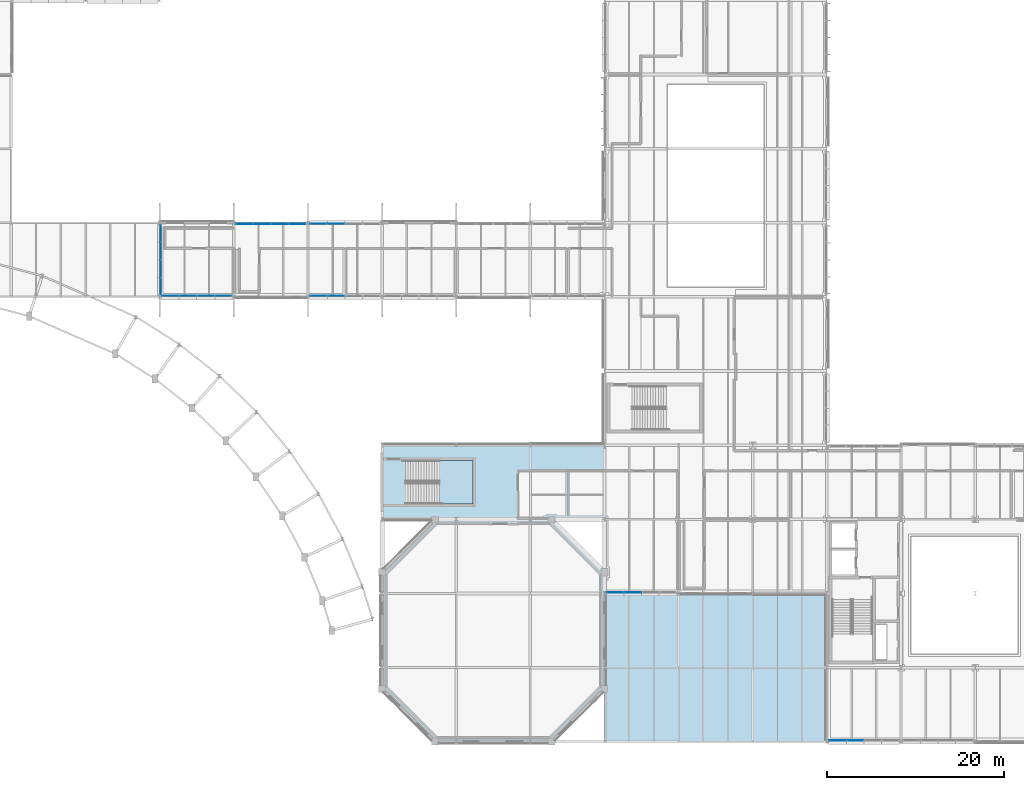
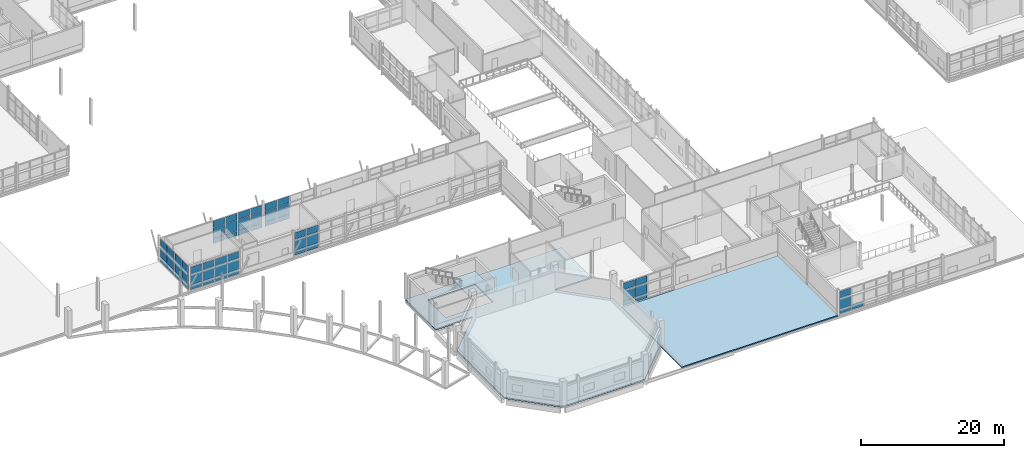
# One storey, part 81 of 129: 58 plates, 3 slabs, 8 elements without a shape of their own.
"""IFC4 building model written with IfcOpenShell, lengths in metres."""

from ifc_helpers import new_model, si_unit, direction, frame, origin, origin_2d, place, context, subcontext, project, spatial, polyline, rectangle, outline, extrude, material, layer, layer_set, type_object, element, aggregate, save


model = new_model("IFC4")

# Units and contexts
model_context = context("Model", 3, precision=1e-05, world=origin(), true_north=direction((0.0, 1.0)))
body_context = subcontext(model_context, "Body", "Model", "MODEL_VIEW")
ifc_project = project(units=[si_unit("LENGTHUNIT", "METRE"), si_unit("AREAUNIT", "SQUARE_METRE"), si_unit("VOLUMEUNIT", "CUBIC_METRE"), si_unit("PLANEANGLEUNIT", "RADIAN"), si_unit("MASSUNIT", "GRAM", prefix="KILO")], contexts=[model_context])

# Site, building, storey
site_placement = place(None, origin())
site = spatial("IfcSite", under=ifc_project, at=site_placement, CompositionType="ELEMENT")
building_placement = place(site_placement, origin())
building = spatial("IfcBuilding", under=site, at=building_placement, Name="Mersafa Astral City Hall", CompositionType="ELEMENT")
storey_placement = place(building_placement, frame((0.0, 0.0, 5.39990234375)))
storey = spatial("IfcBuildingStorey", under=building, at=storey_placement, Name="L01", CompositionType="ELEMENT", Elevation=5.39990234375)

# Curtain wall, plates
ifc_material_1 = material(Name="Anodised bronze aluminium framing", Category="aluminium")
curtain_wall_type_1 = type_object("IfcCurtainWallType", Name="ENV-CW-5", PredefinedType="USERDEFINED", material=ifc_material_1)
curtain_wall_1_placement = place(storey_placement, origin())
curtain_wall_1 = element("IfcCurtainWall", 1, at=curtain_wall_1_placement, inside=storey, type_object=curtain_wall_type_1, Name="L01 Unitised solar curtain wall 100", ObjectType="UNITISED CURTAIN WALL", PredefinedType="USERDEFINED")
ifc_material_2 = material(Name="Solar control low-e double glazing", Category="glass")
ifc_layer_1 = layer(ifc_material_2, 0.028076171875, Name="Solar control low-e double glazing")
ifc_layer_set_1 = layer_set([ifc_layer_1], Name="Solar control low-e double glazing — ENV-CW-PNL-GLZ-1")
plate_type_1 = type_object("IfcPlateType", Name="ENV-CW-PNL-GLZ-1", PredefinedType="CURTAIN_PANEL", material=ifc_layer_set_1)
plate_1_placement = place(storey_placement, frame((43.201416015625, 50.52001953125, 0.05810546875), z_axis=(0.0, 0.0, 1.0), x_axis=(1.0, 0.0, 0.0)))
plate_1 = element("IfcPlate", 2, at=plate_1_placement, type_object=plate_type_1, Name="CW-5 panel 1.1", PredefinedType="CURTAIN_PANEL", context=body_context, shape_type="SweptSolid", body=[
    extrude(rectangle(XDim=1.839111328125, YDim=0.028076171875, at=origin_2d()), origin(), (0.0, 0.0, 1.0), 0.761962890625),
])
plate_2_placement = place(storey_placement, frame((43.201416015625, 50.52001953125, 0.8798828125), z_axis=(0.0, 0.0, 1.0), x_axis=(1.0, 0.0, 0.0)))
plate_2 = element("IfcPlate", 3, at=plate_2_placement, type_object=plate_type_1, Name="CW-5 panel 1.2", PredefinedType="CURTAIN_PANEL", context=body_context, shape_type="SweptSolid", body=[
    extrude(rectangle(XDim=1.839111328125, YDim=0.028076171875, at=origin_2d()), origin(), (0.0, 0.0, 1.0), 1.840087890625),
])
plate_3_placement = place(storey_placement, frame((43.201416015625, 50.52001953125, 2.780029296875), z_axis=(0.0, 0.0, 1.0), x_axis=(1.0, 0.0, 0.0)))
plate_3 = element("IfcPlate", 4, at=plate_3_placement, type_object=plate_type_1, Name="CW-5 panel 1.3", PredefinedType="CURTAIN_PANEL", context=body_context, shape_type="SweptSolid", body=[
    extrude(rectangle(XDim=1.839111328125, YDim=0.028076171875, at=origin_2d()), origin(), (0.0, 0.0, 1.0), 1.126953125),
])
plate_4_placement = place(storey_placement, frame((45.1904296875, 50.52001953125, 0.05810546875), z_axis=(0.0, 0.0, 1.0), x_axis=(1.0, 0.0, 0.0)))
plate_4 = element("IfcPlate", 5, at=plate_4_placement, type_object=plate_type_1, Name="CW-5 panel 2.1", PredefinedType="CURTAIN_PANEL", context=body_context, shape_type="SweptSolid", body=[
    extrude(rectangle(XDim=1.89892578125, YDim=0.028076171875, at=origin_2d()), origin(), (0.0, 0.0, 1.0), 0.761962890625),
])
plate_5_placement = place(storey_placement, frame((45.1904296875, 50.52001953125, 0.8798828125), z_axis=(0.0, 0.0, 1.0), x_axis=(1.0, 0.0, 0.0)))
plate_5 = element("IfcPlate", 6, at=plate_5_placement, type_object=plate_type_1, Name="CW-5 panel 2.2", PredefinedType="CURTAIN_PANEL", context=body_context, shape_type="SweptSolid", body=[
    extrude(rectangle(XDim=1.89892578125, YDim=0.028076171875, at=origin_2d()), origin(), (0.0, 0.0, 1.0), 1.840087890625),
])
plate_6_placement = place(storey_placement, frame((45.1904296875, 50.52001953125, 2.780029296875), z_axis=(0.0, 0.0, 1.0), x_axis=(1.0, 0.0, 0.0)))
plate_6 = element("IfcPlate", 7, at=plate_6_placement, type_object=plate_type_1, Name="CW-5 panel 2.3", PredefinedType="CURTAIN_PANEL", context=body_context, shape_type="SweptSolid", body=[
    extrude(rectangle(XDim=1.89892578125, YDim=0.028076171875, at=origin_2d()), origin(), (0.0, 0.0, 1.0), 1.126953125),
])
plate_7_placement = place(storey_placement, frame((47.20947265625, 50.52001953125, 0.05810546875), z_axis=(0.0, 0.0, 1.0), x_axis=(1.0, 0.0, 0.0)))
plate_7 = element("IfcPlate", 8, at=plate_7_placement, type_object=plate_type_1, Name="CW-5 panel 3.1", PredefinedType="CURTAIN_PANEL", context=body_context, shape_type="SweptSolid", body=[
    extrude(rectangle(XDim=1.89892578125, YDim=0.028076171875, at=origin_2d()), origin(), (0.0, 0.0, 1.0), 0.761962890625),
])
plate_8_placement = place(storey_placement, frame((47.20947265625, 50.52001953125, 0.8798828125), z_axis=(0.0, 0.0, 1.0), x_axis=(1.0, 0.0, 0.0)))
plate_8 = element("IfcPlate", 9, at=plate_8_placement, type_object=plate_type_1, Name="CW-5 panel 3.2", PredefinedType="CURTAIN_PANEL", context=body_context, shape_type="SweptSolid", body=[
    extrude(rectangle(XDim=1.89892578125, YDim=0.028076171875, at=origin_2d()), origin(), (0.0, 0.0, 1.0), 1.840087890625),
])
plate_9_placement = place(storey_placement, frame((47.20947265625, 50.52001953125, 2.780029296875), z_axis=(0.0, 0.0, 1.0), x_axis=(1.0, 0.0, 0.0)))
plate_9 = element("IfcPlate", 10, at=plate_9_placement, type_object=plate_type_1, Name="CW-5 panel 3.3", PredefinedType="CURTAIN_PANEL", context=body_context, shape_type="SweptSolid", body=[
    extrude(rectangle(XDim=1.89892578125, YDim=0.028076171875, at=origin_2d()), origin(), (0.0, 0.0, 1.0), 1.126953125),
])
plate_10_placement = place(storey_placement, frame((49.198486328125, 50.52001953125, 0.05810546875), z_axis=(0.0, 0.0, 1.0), x_axis=(1.0, 0.0, 0.0)))
plate_10 = element("IfcPlate", 11, at=plate_10_placement, type_object=plate_type_1, Name="CW-5 panel 4.1", PredefinedType="CURTAIN_PANEL", context=body_context, shape_type="SweptSolid", body=[
    extrude(rectangle(XDim=1.839111328125, YDim=0.028076171875, at=origin_2d()), origin(), (0.0, 0.0, 1.0), 0.761962890625),
])
plate_11_placement = place(storey_placement, frame((49.198486328125, 50.52001953125, 0.8798828125), z_axis=(0.0, 0.0, 1.0), x_axis=(1.0, 0.0, 0.0)))
plate_11 = element("IfcPlate", 12, at=plate_11_placement, type_object=plate_type_1, Name="CW-5 panel 4.2", PredefinedType="CURTAIN_PANEL", context=body_context, shape_type="SweptSolid", body=[
    extrude(rectangle(XDim=1.839111328125, YDim=0.028076171875, at=origin_2d()), origin(), (0.0, 0.0, 1.0), 1.840087890625),
])
plate_12_placement = place(storey_placement, frame((49.198486328125, 50.52001953125, 2.780029296875), z_axis=(0.0, 0.0, 1.0), x_axis=(1.0, 0.0, 0.0)))
plate_12 = element("IfcPlate", 13, at=plate_12_placement, type_object=plate_type_1, Name="CW-5 panel 4.3", PredefinedType="CURTAIN_PANEL", context=body_context, shape_type="SweptSolid", body=[
    extrude(rectangle(XDim=1.839111328125, YDim=0.028076171875, at=origin_2d()), origin(), (0.0, 0.0, 1.0), 1.126953125),
])
aggregate(curtain_wall_1, [plate_1, plate_2, plate_3, plate_4, plate_5, plate_6, plate_7, plate_8, plate_9, plate_10, plate_11, plate_12])

curtain_wall_type_2 = type_object("IfcCurtainWallType", Name="ENV-CW-4", PredefinedType="USERDEFINED", material=ifc_material_1)
curtain_wall_2_placement = place(storey_placement, origin())
curtain_wall_2 = element("IfcCurtainWall", 14, at=curtain_wall_2_placement, inside=storey, type_object=curtain_wall_type_2, Name="L01 Unitised solar curtain wall 45", ObjectType="UNITISED CURTAIN WALL", PredefinedType="USERDEFINED")
ifc_layer_2 = layer(ifc_material_2, 0.031982421875, Name="Solar control low-e double glazing")
ifc_layer_set_2 = layer_set([ifc_layer_2], Name="Solar control low-e double glazing — ENV-CW-PNL-GLZ-2")
plate_type_2 = type_object("IfcPlateType", Name="ENV-CW-PNL-GLZ-2", PredefinedType="CURTAIN_PANEL", material=ifc_layer_set_2)
plate_13_placement = place(storey_placement, frame((93.6015625, 16.919921875, 0.05810546875), z_axis=(0.0, 0.0, 1.0), x_axis=(1.0, 0.0, 0.0)))
plate_13 = element("IfcPlate", 15, at=plate_13_placement, type_object=plate_type_2, Name="CW-4 panel 1.1", PredefinedType="CURTAIN_PANEL", context=body_context, shape_type="SweptSolid", body=[
    extrude(rectangle(XDim=1.839111328125, YDim=0.031982421875, at=origin_2d()), origin(), (0.0, 0.0, 1.0), 0.761962890625),
])
plate_14_placement = place(storey_placement, frame((93.6015625, 16.919921875, 0.8798828125), z_axis=(0.0, 0.0, 1.0), x_axis=(1.0, 0.0, 0.0)))
plate_14 = element("IfcPlate", 16, at=plate_14_placement, type_object=plate_type_2, Name="CW-4 panel 1.2", PredefinedType="CURTAIN_PANEL", context=body_context, shape_type="SweptSolid", body=[
    extrude(rectangle(XDim=1.839111328125, YDim=0.031982421875, at=origin_2d()), origin(), (0.0, 0.0, 1.0), 1.840087890625),
])
plate_15_placement = place(storey_placement, frame((93.6015625, 16.919921875, 2.780029296875), z_axis=(0.0, 0.0, 1.0), x_axis=(1.0, 0.0, 0.0)))
plate_15 = element("IfcPlate", 17, at=plate_15_placement, type_object=plate_type_2, Name="CW-4 panel 1.3", PredefinedType="CURTAIN_PANEL", context=body_context, shape_type="SweptSolid", body=[
    extrude(rectangle(XDim=1.839111328125, YDim=0.031982421875, at=origin_2d()), origin(), (0.0, 0.0, 1.0), 1.126953125),
])
plate_16_placement = place(storey_placement, frame((95.590576171875, 16.919921875, 0.05810546875), z_axis=(0.0, 0.0, 1.0), x_axis=(1.0, 0.0, 0.0)))
plate_16 = element("IfcPlate", 18, at=plate_16_placement, type_object=plate_type_2, Name="CW-4 panel 2.1", PredefinedType="CURTAIN_PANEL", context=body_context, shape_type="SweptSolid", body=[
    extrude(rectangle(XDim=1.89892578125, YDim=0.031982421875, at=origin_2d()), origin(), (0.0, 0.0, 1.0), 0.761962890625),
])
plate_17_placement = place(storey_placement, frame((95.590576171875, 16.919921875, 0.8798828125), z_axis=(0.0, 0.0, 1.0), x_axis=(1.0, 0.0, 0.0)))
plate_17 = element("IfcPlate", 19, at=plate_17_placement, type_object=plate_type_2, Name="CW-4 panel 2.2", PredefinedType="CURTAIN_PANEL", context=body_context, shape_type="SweptSolid", body=[
    extrude(rectangle(XDim=1.89892578125, YDim=0.031982421875, at=origin_2d()), origin(), (0.0, 0.0, 1.0), 1.840087890625),
])
plate_18_placement = place(storey_placement, frame((95.590576171875, 16.919921875, 2.780029296875), z_axis=(0.0, 0.0, 1.0), x_axis=(1.0, 0.0, 0.0)))
plate_18 = element("IfcPlate", 20, at=plate_18_placement, type_object=plate_type_2, Name="CW-4 panel 2.3", PredefinedType="CURTAIN_PANEL", context=body_context, shape_type="SweptSolid", body=[
    extrude(rectangle(XDim=1.89892578125, YDim=0.031982421875, at=origin_2d()), origin(), (0.0, 0.0, 1.0), 1.126953125),
])
aggregate(curtain_wall_2, [plate_13, plate_14, plate_15, plate_16, plate_17, plate_18])

curtain_wall_type_3 = type_object("IfcCurtainWallType", Name="ENV-CW-2", PredefinedType="USERDEFINED", material=ifc_material_1)
curtain_wall_3_placement = place(storey_placement, origin())
curtain_wall_3 = element("IfcCurtainWall", 21, at=curtain_wall_3_placement, inside=storey, type_object=curtain_wall_type_3, Name="L01 Unitised solar curtain wall 97", ObjectType="UNITISED CURTAIN WALL", PredefinedType="USERDEFINED")
plate_19_placement = place(storey_placement, frame((61.990478515625, 58.679931640625, 0.05810546875), z_axis=(0.0, 0.0, 1.0), x_axis=(-1.0, 0.0, 0.0)))
plate_19 = element("IfcPlate", 22, at=plate_19_placement, type_object=plate_type_2, Name="CW-2 panel 3.1", PredefinedType="CURTAIN_PANEL", context=body_context, shape_type="SweptSolid", body=[
    extrude(rectangle(XDim=1.89892578125, YDim=0.031982421875, at=origin_2d()), origin(), (0.0, 0.0, 1.0), 0.761962890625),
])
plate_20_placement = place(storey_placement, frame((61.990478515625, 58.679931640625, 0.8798828125), z_axis=(0.0, 0.0, 1.0), x_axis=(-1.0, 0.0, 0.0)))
plate_20 = element("IfcPlate", 23, at=plate_20_placement, type_object=plate_type_2, Name="CW-2 panel 3.2", PredefinedType="CURTAIN_PANEL", context=body_context, shape_type="SweptSolid", body=[
    extrude(rectangle(XDim=1.89892578125, YDim=0.031982421875, at=origin_2d()), origin(), (0.0, 0.0, 1.0), 1.840087890625),
])
plate_21_placement = place(storey_placement, frame((61.990478515625, 58.679931640625, 2.7802734375), z_axis=(0.0, 0.0, 1.0), x_axis=(-1.0, 0.0, 0.0)))
plate_21 = element("IfcPlate", 24, at=plate_21_placement, type_object=plate_type_2, Name="CW-2 panel 3.3", PredefinedType="CURTAIN_PANEL", context=body_context, shape_type="SweptSolid", body=[
    extrude(rectangle(XDim=1.89892578125, YDim=0.031982421875, at=origin_2d()), origin(), (0.0, 0.0, 1.0), 1.096923828125),
])
plate_22_placement = place(storey_placement, frame((60.00146484375, 58.679931640625, 0.05810546875), z_axis=(0.0, 0.0, 1.0), x_axis=(-1.0, 0.0, 0.0)))
plate_22 = element("IfcPlate", 25, at=plate_22_placement, type_object=plate_type_2, Name="CW-2 panel 4.1", PredefinedType="CURTAIN_PANEL", context=body_context, shape_type="SweptSolid", body=[
    extrude(rectangle(XDim=1.839111328125, YDim=0.031982421875, at=origin_2d()), origin(), (0.0, 0.0, 1.0), 0.761962890625),
])
plate_23_placement = place(storey_placement, frame((60.00146484375, 58.679931640625, 0.8798828125), z_axis=(0.0, 0.0, 1.0), x_axis=(-1.0, 0.0, 0.0)))
plate_23 = element("IfcPlate", 26, at=plate_23_placement, type_object=plate_type_2, Name="CW-2 panel 4.2", PredefinedType="CURTAIN_PANEL", context=body_context, shape_type="SweptSolid", body=[
    extrude(rectangle(XDim=1.839111328125, YDim=0.031982421875, at=origin_2d()), origin(), (0.0, 0.0, 1.0), 1.840087890625),
])
plate_24_placement = place(storey_placement, frame((60.00146484375, 58.679931640625, 2.7802734375), z_axis=(0.0, 0.0, 1.0), x_axis=(-1.0, 0.0, 0.0)))
plate_24 = element("IfcPlate", 27, at=plate_24_placement, type_object=plate_type_2, Name="CW-2 panel 4.3", PredefinedType="CURTAIN_PANEL", context=body_context, shape_type="SweptSolid", body=[
    extrude(rectangle(XDim=1.839111328125, YDim=0.031982421875, at=origin_2d()), origin(), (0.0, 0.0, 1.0), 1.096923828125),
])
aggregate(curtain_wall_3, [plate_19, plate_20, plate_21, plate_22, plate_23, plate_24])

curtain_wall_type_4 = type_object("IfcCurtainWallType", Name="ENV-CW-6", PredefinedType="USERDEFINED", material=ifc_material_1)
curtain_wall_4_placement = place(storey_placement, origin())
curtain_wall_4 = element("IfcCurtainWall", 28, at=curtain_wall_4_placement, inside=storey, type_object=curtain_wall_type_4, Name="L01 Unitised solar curtain wall 101", ObjectType="UNITISED CURTAIN WALL", PredefinedType="USERDEFINED")
plate_25_placement = place(storey_placement, frame((60.00146484375, 50.52001953125, 0.05810546875), z_axis=(0.0, 0.0, 1.0), x_axis=(1.0, 0.0, 0.0)))
plate_25 = element("IfcPlate", 29, at=plate_25_placement, type_object=plate_type_2, Name="CW-6 panel 1.1", PredefinedType="CURTAIN_PANEL", context=body_context, shape_type="SweptSolid", body=[
    extrude(rectangle(XDim=1.839111328125, YDim=0.031982421875, at=origin_2d()), origin(), (0.0, 0.0, 1.0), 0.761962890625),
])
plate_26_placement = place(storey_placement, frame((60.00146484375, 50.52001953125, 0.8798828125), z_axis=(0.0, 0.0, 1.0), x_axis=(1.0, 0.0, 0.0)))
plate_26 = element("IfcPlate", 30, at=plate_26_placement, type_object=plate_type_2, Name="CW-6 panel 1.2", PredefinedType="CURTAIN_PANEL", context=body_context, shape_type="SweptSolid", body=[
    extrude(rectangle(XDim=1.839111328125, YDim=0.031982421875, at=origin_2d()), origin(), (0.0, 0.0, 1.0), 1.840087890625),
])
plate_27_placement = place(storey_placement, frame((60.00146484375, 50.52001953125, 2.780029296875), z_axis=(0.0, 0.0, 1.0), x_axis=(1.0, 0.0, 0.0)))
plate_27 = element("IfcPlate", 31, at=plate_27_placement, type_object=plate_type_2, Name="CW-6 panel 1.3", PredefinedType="CURTAIN_PANEL", context=body_context, shape_type="SweptSolid", body=[
    extrude(rectangle(XDim=1.839111328125, YDim=0.031982421875, at=origin_2d()), origin(), (0.0, 0.0, 1.0), 1.126953125),
])
plate_28_placement = place(storey_placement, frame((61.990478515625, 50.52001953125, 0.05810546875), z_axis=(0.0, 0.0, 1.0), x_axis=(1.0, 0.0, 0.0)))
plate_28 = element("IfcPlate", 32, at=plate_28_placement, type_object=plate_type_2, Name="CW-6 panel 2.1", PredefinedType="CURTAIN_PANEL", context=body_context, shape_type="SweptSolid", body=[
    extrude(rectangle(XDim=1.89892578125, YDim=0.031982421875, at=origin_2d()), origin(), (0.0, 0.0, 1.0), 0.761962890625),
])
plate_29_placement = place(storey_placement, frame((61.990478515625, 50.52001953125, 0.8798828125), z_axis=(0.0, 0.0, 1.0), x_axis=(1.0, 0.0, 0.0)))
plate_29 = element("IfcPlate", 33, at=plate_29_placement, type_object=plate_type_2, Name="CW-6 panel 2.2", PredefinedType="CURTAIN_PANEL", context=body_context, shape_type="SweptSolid", body=[
    extrude(rectangle(XDim=1.89892578125, YDim=0.031982421875, at=origin_2d()), origin(), (0.0, 0.0, 1.0), 1.840087890625),
])
plate_30_placement = place(storey_placement, frame((61.990478515625, 50.52001953125, 2.780029296875), z_axis=(0.0, 0.0, 1.0), x_axis=(1.0, 0.0, 0.0)))
plate_30 = element("IfcPlate", 34, at=plate_30_placement, type_object=plate_type_2, Name="CW-6 panel 2.3", PredefinedType="CURTAIN_PANEL", context=body_context, shape_type="SweptSolid", body=[
    extrude(rectangle(XDim=1.89892578125, YDim=0.031982421875, at=origin_2d()), origin(), (0.0, 0.0, 1.0), 1.126953125),
])
aggregate(curtain_wall_4, [plate_25, plate_26, plate_27, plate_28, plate_29, plate_30])

curtain_wall_5_placement = place(storey_placement, origin())
curtain_wall_5 = element("IfcCurtainWall", 35, at=curtain_wall_5_placement, inside=storey, type_object=curtain_wall_type_1, Name="L01 Unitised solar curtain wall 46", ObjectType="UNITISED CURTAIN WALL", PredefinedType="USERDEFINED")
ifc_layer_3 = layer(ifc_material_2, 0.035888671875, Name="Solar control low-e double glazing")
ifc_layer_set_3 = layer_set([ifc_layer_3], Name="Solar control low-e double glazing — ENV-CW-PNL-GLZ-3")
plate_type_3 = type_object("IfcPlateType", Name="ENV-CW-PNL-GLZ-3", PredefinedType="CURTAIN_PANEL", material=ifc_layer_set_3)
plate_31_placement = place(storey_placement, frame((118.801513671875, 0.1201171875, 0.05810546875), z_axis=(0.0, 0.0, 1.0), x_axis=(1.0, 0.0, 0.0)))
plate_31 = element("IfcPlate", 36, at=plate_31_placement, type_object=plate_type_3, Name="CW-5 panel 1.1", PredefinedType="CURTAIN_PANEL", context=body_context, shape_type="SweptSolid", body=[
    extrude(rectangle(XDim=1.839111328125, YDim=0.035888671875, at=origin_2d()), origin(), (0.0, 0.0, 1.0), 0.761962890625),
])
plate_32_placement = place(storey_placement, frame((118.801513671875, 0.1201171875, 0.8798828125), z_axis=(0.0, 0.0, 1.0), x_axis=(1.0, 0.0, 0.0)))
plate_32 = element("IfcPlate", 37, at=plate_32_placement, type_object=plate_type_3, Name="CW-5 panel 1.2", PredefinedType="CURTAIN_PANEL", context=body_context, shape_type="SweptSolid", body=[
    extrude(rectangle(XDim=1.839111328125, YDim=0.035888671875, at=origin_2d()), origin(), (0.0, 0.0, 1.0), 1.840087890625),
])
plate_33_placement = place(storey_placement, frame((118.801513671875, 0.1201171875, 2.7802734375), z_axis=(0.0, 0.0, 1.0), x_axis=(1.0, 0.0, 0.0)))
plate_33 = element("IfcPlate", 38, at=plate_33_placement, type_object=plate_type_3, Name="CW-5 panel 1.3", PredefinedType="CURTAIN_PANEL", context=body_context, shape_type="SweptSolid", body=[
    extrude(rectangle(XDim=1.839111328125, YDim=0.035888671875, at=origin_2d()), origin(), (0.0, 0.0, 1.0), 1.096923828125),
])
plate_34_placement = place(storey_placement, frame((120.79052734375, 0.1201171875, 0.05810546875), z_axis=(0.0, 0.0, 1.0), x_axis=(1.0, 0.0, 0.0)))
plate_34 = element("IfcPlate", 39, at=plate_34_placement, type_object=plate_type_3, Name="CW-5 panel 2.1", PredefinedType="CURTAIN_PANEL", context=body_context, shape_type="SweptSolid", body=[
    extrude(rectangle(XDim=1.89892578125, YDim=0.035888671875, at=origin_2d()), origin(), (0.0, 0.0, 1.0), 0.761962890625),
])
aggregate(curtain_wall_5, [plate_31, plate_32, plate_33, plate_34])

curtain_wall_type_5 = type_object("IfcCurtainWallType", Name="ENV-CW-3", PredefinedType="USERDEFINED", material=ifc_material_1)
curtain_wall_6_placement = place(storey_placement, origin())
curtain_wall_6 = element("IfcCurtainWall", 40, at=curtain_wall_6_placement, inside=storey, type_object=curtain_wall_type_5, Name="L01 Unitised solar curtain wall 98", ObjectType="UNITISED CURTAIN WALL", PredefinedType="USERDEFINED")
plate_35_placement = place(storey_placement, frame((57.598388671875, 58.679931640625, 0.05810546875), z_axis=(0.0, 0.0, 1.0), x_axis=(-1.0, 0.0, 0.0)))
plate_35 = element("IfcPlate", 41, at=plate_35_placement, type_object=plate_type_3, Name="CW-3 panel 1.1", PredefinedType="CURTAIN_PANEL", context=body_context, shape_type="SweptSolid", body=[
    extrude(rectangle(XDim=1.839111328125, YDim=0.035888671875, at=origin_2d()), origin(), (0.0, 0.0, 1.0), 0.761962890625),
])
plate_36_placement = place(storey_placement, frame((57.598388671875, 58.679931640625, 0.8798828125), z_axis=(0.0, 0.0, 1.0), x_axis=(-1.0, 0.0, 0.0)))
plate_36 = element("IfcPlate", 42, at=plate_36_placement, type_object=plate_type_3, Name="CW-3 panel 1.2", PredefinedType="CURTAIN_PANEL", context=body_context, shape_type="SweptSolid", body=[
    extrude(rectangle(XDim=1.839111328125, YDim=0.035888671875, at=origin_2d()), origin(), (0.0, 0.0, 1.0), 1.840087890625),
])
plate_37_placement = place(storey_placement, frame((57.598388671875, 58.679931640625, 2.780029296875), z_axis=(0.0, 0.0, 1.0), x_axis=(-1.0, 0.0, 0.0)))
plate_37 = element("IfcPlate", 43, at=plate_37_placement, type_object=plate_type_3, Name="CW-3 panel 1.3", PredefinedType="CURTAIN_PANEL", context=body_context, shape_type="SweptSolid", body=[
    extrude(rectangle(XDim=1.839111328125, YDim=0.035888671875, at=origin_2d()), origin(), (0.0, 0.0, 1.0), 1.126953125),
])
plate_38_placement = place(storey_placement, frame((55.609619140625, 58.679931640625, 0.05810546875), z_axis=(0.0, 0.0, 1.0), x_axis=(-1.0, 0.0, 0.0)))
plate_38 = element("IfcPlate", 44, at=plate_38_placement, type_object=plate_type_3, Name="CW-3 panel 2.1", PredefinedType="CURTAIN_PANEL", context=body_context, shape_type="SweptSolid", body=[
    extrude(rectangle(XDim=1.89892578125, YDim=0.035888671875, at=origin_2d()), origin(), (0.0, 0.0, 1.0), 0.761962890625),
])
plate_39_placement = place(storey_placement, frame((55.609619140625, 58.679931640625, 0.8798828125), z_axis=(0.0, 0.0, 1.0), x_axis=(-1.0, 0.0, 0.0)))
plate_39 = element("IfcPlate", 45, at=plate_39_placement, type_object=plate_type_3, Name="CW-3 panel 2.2", PredefinedType="CURTAIN_PANEL", context=body_context, shape_type="SweptSolid", body=[
    extrude(rectangle(XDim=1.89892578125, YDim=0.035888671875, at=origin_2d()), origin(), (0.0, 0.0, 1.0), 1.840087890625),
])
plate_40_placement = place(storey_placement, frame((55.609619140625, 58.679931640625, 2.780029296875), z_axis=(0.0, 0.0, 1.0), x_axis=(-1.0, 0.0, 0.0)))
plate_40 = element("IfcPlate", 46, at=plate_40_placement, type_object=plate_type_3, Name="CW-3 panel 2.3", PredefinedType="CURTAIN_PANEL", context=body_context, shape_type="SweptSolid", body=[
    extrude(rectangle(XDim=1.89892578125, YDim=0.035888671875, at=origin_2d()), origin(), (0.0, 0.0, 1.0), 1.126953125),
])
plate_41_placement = place(storey_placement, frame((53.590576171875, 58.679931640625, 0.05810546875), z_axis=(0.0, 0.0, 1.0), x_axis=(-1.0, 0.0, 0.0)))
plate_41 = element("IfcPlate", 47, at=plate_41_placement, type_object=plate_type_3, Name="CW-3 panel 3.1", PredefinedType="CURTAIN_PANEL", context=body_context, shape_type="SweptSolid", body=[
    extrude(rectangle(XDim=1.89892578125, YDim=0.035888671875, at=origin_2d()), origin(), (0.0, 0.0, 1.0), 0.761962890625),
])
plate_42_placement = place(storey_placement, frame((53.590576171875, 58.679931640625, 0.8798828125), z_axis=(0.0, 0.0, 1.0), x_axis=(-1.0, 0.0, 0.0)))
plate_42 = element("IfcPlate", 48, at=plate_42_placement, type_object=plate_type_3, Name="CW-3 panel 3.2", PredefinedType="CURTAIN_PANEL", context=body_context, shape_type="SweptSolid", body=[
    extrude(rectangle(XDim=1.89892578125, YDim=0.035888671875, at=origin_2d()), origin(), (0.0, 0.0, 1.0), 1.840087890625),
])
plate_43_placement = place(storey_placement, frame((53.590576171875, 58.679931640625, 2.780029296875), z_axis=(0.0, 0.0, 1.0), x_axis=(-1.0, 0.0, 0.0)))
plate_43 = element("IfcPlate", 49, at=plate_43_placement, type_object=plate_type_3, Name="CW-3 panel 3.3", PredefinedType="CURTAIN_PANEL", context=body_context, shape_type="SweptSolid", body=[
    extrude(rectangle(XDim=1.89892578125, YDim=0.035888671875, at=origin_2d()), origin(), (0.0, 0.0, 1.0), 1.126953125),
])
plate_44_placement = place(storey_placement, frame((51.6015625, 58.679931640625, 0.05810546875), z_axis=(0.0, 0.0, 1.0), x_axis=(-1.0, 0.0, 0.0)))
plate_44 = element("IfcPlate", 50, at=plate_44_placement, type_object=plate_type_3, Name="CW-3 panel 4.1", PredefinedType="CURTAIN_PANEL", context=body_context, shape_type="SweptSolid", body=[
    extrude(rectangle(XDim=1.839111328125, YDim=0.035888671875, at=origin_2d()), origin(), (0.0, 0.0, 1.0), 0.761962890625),
])
plate_45_placement = place(storey_placement, frame((51.6015625, 58.679931640625, 0.8798828125), z_axis=(0.0, 0.0, 1.0), x_axis=(-1.0, 0.0, 0.0)))
plate_45 = element("IfcPlate", 51, at=plate_45_placement, type_object=plate_type_3, Name="CW-3 panel 4.2", PredefinedType="CURTAIN_PANEL", context=body_context, shape_type="SweptSolid", body=[
    extrude(rectangle(XDim=1.839111328125, YDim=0.035888671875, at=origin_2d()), origin(), (0.0, 0.0, 1.0), 1.840087890625),
])
plate_46_placement = place(storey_placement, frame((51.6015625, 58.679931640625, 2.780029296875), z_axis=(0.0, 0.0, 1.0), x_axis=(-1.0, 0.0, 0.0)))
plate_46 = element("IfcPlate", 52, at=plate_46_placement, type_object=plate_type_3, Name="CW-3 panel 4.3", PredefinedType="CURTAIN_PANEL", context=body_context, shape_type="SweptSolid", body=[
    extrude(rectangle(XDim=1.839111328125, YDim=0.035888671875, at=origin_2d()), origin(), (0.0, 0.0, 1.0), 1.126953125),
])
aggregate(curtain_wall_6, [plate_35, plate_36, plate_37, plate_38, plate_39, plate_40, plate_41, plate_42, plate_43, plate_44, plate_45, plate_46])

curtain_wall_7_placement = place(storey_placement, origin())
curtain_wall_7 = element("IfcCurtainWall", 53, at=curtain_wall_7_placement, inside=storey, type_object=curtain_wall_type_2, Name="L01 Unitised solar curtain wall 99", ObjectType="UNITISED CURTAIN WALL", PredefinedType="USERDEFINED")
ifc_layer_4 = layer(ifc_material_2, 0.0400390625, Name="Solar control low-e double glazing")
ifc_layer_set_4 = layer_set([ifc_layer_4], Name="Solar control low-e double glazing — ENV-CW-PNL-GLZ-4")
plate_type_4 = type_object("IfcPlateType", Name="ENV-CW-PNL-GLZ-4", PredefinedType="CURTAIN_PANEL", material=ifc_layer_set_4)
plate_47_placement = place(storey_placement, frame((42.1201171875, 57.598388671875, 0.05810546875), z_axis=(0.0, 0.0, 1.0), x_axis=(0.0, -1.0, 0.0)))
plate_47 = element("IfcPlate", 54, at=plate_47_placement, type_object=plate_type_4, Name="CW-4 panel 1.1", PredefinedType="CURTAIN_PANEL", context=body_context, shape_type="SweptSolid", body=[
    extrude(rectangle(XDim=1.839111328125, YDim=0.0400390625, at=origin_2d()), origin(), (0.0, 0.0, 1.0), 0.761962890625),
])
plate_48_placement = place(storey_placement, frame((42.1201171875, 57.598388671875, 0.8798828125), z_axis=(0.0, 0.0, 1.0), x_axis=(0.0, -1.0, 0.0)))
plate_48 = element("IfcPlate", 55, at=plate_48_placement, type_object=plate_type_4, Name="CW-4 panel 1.2", PredefinedType="CURTAIN_PANEL", context=body_context, shape_type="SweptSolid", body=[
    extrude(rectangle(XDim=1.839111328125, YDim=0.0400390625, at=origin_2d()), origin(), (0.0, 0.0, 1.0), 1.840087890625),
])
plate_49_placement = place(storey_placement, frame((42.1201171875, 57.598388671875, 2.780029296875), z_axis=(0.0, 0.0, 1.0), x_axis=(0.0, -1.0, 0.0)))
plate_49 = element("IfcPlate", 56, at=plate_49_placement, type_object=plate_type_4, Name="CW-4 panel 1.3", PredefinedType="CURTAIN_PANEL", context=body_context, shape_type="SweptSolid", body=[
    extrude(rectangle(XDim=1.839111328125, YDim=0.0400390625, at=origin_2d()), origin(), (0.0, 0.0, 1.0), 1.18701171875),
])
plate_50_placement = place(storey_placement, frame((42.1201171875, 55.609619140625, 0.05810546875), z_axis=(0.0, 0.0, 1.0), x_axis=(0.0, -1.0, 0.0)))
plate_50 = element("IfcPlate", 57, at=plate_50_placement, type_object=plate_type_4, Name="CW-4 panel 2.1", PredefinedType="CURTAIN_PANEL", context=body_context, shape_type="SweptSolid", body=[
    extrude(rectangle(XDim=1.89892578125, YDim=0.0400390625, at=origin_2d()), origin(), (0.0, 0.0, 1.0), 0.761962890625),
])
plate_51_placement = place(storey_placement, frame((42.1201171875, 55.609619140625, 0.8798828125), z_axis=(0.0, 0.0, 1.0), x_axis=(0.0, -1.0, 0.0)))
plate_51 = element("IfcPlate", 58, at=plate_51_placement, type_object=plate_type_4, Name="CW-4 panel 2.2", PredefinedType="CURTAIN_PANEL", context=body_context, shape_type="SweptSolid", body=[
    extrude(rectangle(XDim=1.89892578125, YDim=0.0400390625, at=origin_2d()), origin(), (0.0, 0.0, 1.0), 1.840087890625),
])
plate_52_placement = place(storey_placement, frame((42.1201171875, 55.609619140625, 2.780029296875), z_axis=(0.0, 0.0, 1.0), x_axis=(0.0, -1.0, 0.0)))
plate_52 = element("IfcPlate", 59, at=plate_52_placement, type_object=plate_type_4, Name="CW-4 panel 2.3", PredefinedType="CURTAIN_PANEL", context=body_context, shape_type="SweptSolid", body=[
    extrude(rectangle(XDim=1.89892578125, YDim=0.0400390625, at=origin_2d()), origin(), (0.0, 0.0, 1.0), 1.18701171875),
])
plate_53_placement = place(storey_placement, frame((42.1201171875, 53.590576171875, 0.05810546875), z_axis=(0.0, 0.0, 1.0), x_axis=(0.0, -1.0, 0.0)))
plate_53 = element("IfcPlate", 60, at=plate_53_placement, type_object=plate_type_4, Name="CW-4 panel 3.1", PredefinedType="CURTAIN_PANEL", context=body_context, shape_type="SweptSolid", body=[
    extrude(rectangle(XDim=1.89892578125, YDim=0.0400390625, at=origin_2d()), origin(), (0.0, 0.0, 1.0), 0.761962890625),
])
plate_54_placement = place(storey_placement, frame((42.1201171875, 53.590576171875, 0.8798828125), z_axis=(0.0, 0.0, 1.0), x_axis=(0.0, -1.0, 0.0)))
plate_54 = element("IfcPlate", 61, at=plate_54_placement, type_object=plate_type_4, Name="CW-4 panel 3.2", PredefinedType="CURTAIN_PANEL", context=body_context, shape_type="SweptSolid", body=[
    extrude(rectangle(XDim=1.89892578125, YDim=0.0400390625, at=origin_2d()), origin(), (0.0, 0.0, 1.0), 1.840087890625),
])
plate_55_placement = place(storey_placement, frame((42.1201171875, 53.590576171875, 2.780029296875), z_axis=(0.0, 0.0, 1.0), x_axis=(0.0, -1.0, 0.0)))
plate_55 = element("IfcPlate", 62, at=plate_55_placement, type_object=plate_type_4, Name="CW-4 panel 3.3", PredefinedType="CURTAIN_PANEL", context=body_context, shape_type="SweptSolid", body=[
    extrude(rectangle(XDim=1.89892578125, YDim=0.0400390625, at=origin_2d()), origin(), (0.0, 0.0, 1.0), 1.18701171875),
])
plate_56_placement = place(storey_placement, frame((42.1201171875, 51.6015625, 0.05810546875), z_axis=(0.0, 0.0, 1.0), x_axis=(0.0, -1.0, 0.0)))
plate_56 = element("IfcPlate", 63, at=plate_56_placement, type_object=plate_type_4, Name="CW-4 panel 4.1", PredefinedType="CURTAIN_PANEL", context=body_context, shape_type="SweptSolid", body=[
    extrude(rectangle(XDim=1.839111328125, YDim=0.0400390625, at=origin_2d()), origin(), (0.0, 0.0, 1.0), 0.761962890625),
])
plate_57_placement = place(storey_placement, frame((42.1201171875, 51.6015625, 0.8798828125), z_axis=(0.0, 0.0, 1.0), x_axis=(0.0, -1.0, 0.0)))
plate_57 = element("IfcPlate", 64, at=plate_57_placement, type_object=plate_type_4, Name="CW-4 panel 4.2", PredefinedType="CURTAIN_PANEL", context=body_context, shape_type="SweptSolid", body=[
    extrude(rectangle(XDim=1.839111328125, YDim=0.0400390625, at=origin_2d()), origin(), (0.0, 0.0, 1.0), 1.840087890625),
])
plate_58_placement = place(storey_placement, frame((42.1201171875, 51.6015625, 2.780029296875), z_axis=(0.0, 0.0, 1.0), x_axis=(0.0, -1.0, 0.0)))
plate_58 = element("IfcPlate", 65, at=plate_58_placement, type_object=plate_type_4, Name="CW-4 panel 4.3", PredefinedType="CURTAIN_PANEL", context=body_context, shape_type="SweptSolid", body=[
    extrude(rectangle(XDim=1.839111328125, YDim=0.0400390625, at=origin_2d()), origin(), (0.0, 0.0, 1.0), 1.18701171875),
])
aggregate(curtain_wall_7, [plate_47, plate_48, plate_49, plate_50, plate_51, plate_52, plate_53, plate_54, plate_55, plate_56, plate_57, plate_58])

# Stair, slab
ifc_material_3 = material(Name="Concrete C40/50", Category="concrete")
stair_type = type_object("IfcStairType", Name="STAIR", PredefinedType="HALF_TURN_STAIR", material=ifc_material_3)
stair_placement = place(storey_placement, origin())
stair = element("IfcStair", 66, at=stair_placement, inside=storey, type_object=stair_type, Name="L01 Assembly Protected Exit Stair ST7", PredefinedType="HALF_TURN_STAIR")
ifc_layer_5 = layer(ifc_material_3, 0.199951171875, Name="Concrete C40/50")
ifc_layer_set_5 = layer_set([ifc_layer_5], Name="Concrete C40/50 — STAIR-LANDING")
slab_type_1 = type_object("IfcSlabType", Name="STAIR-LANDING", PredefinedType="LANDING", material=ifc_layer_set_5)
slab_1_placement = place(storey_placement, frame((0.0, 0.0, 2.050048828125)))
slab_1 = element("IfcSlab", 67, at=slab_1_placement, type_object=slab_type_1, Name="ST7 landing 1", PredefinedType="LANDING", context=body_context, shape_type="SweptSolid", body=[
    extrude(outline(polyline([(73.72998046875, 26.919921875), (77.47998046875, 26.919921875), (77.47998046875, 31.8798828125), (73.72998046875, 31.8798828125), (73.72998046875, 26.919921875)])), origin(), (0.0, 0.0, 1.0), 0.199951171875),
])
aggregate(stair, [slab_1])

# Slabs
ifc_material_4 = material(Name="Concrete C35/45", Category="concrete")
ifc_layer_6 = layer(ifc_material_4, 0.22509765625, Name="Concrete C35/45")
ifc_layer_set_6 = layer_set([ifc_layer_6], Name="Concrete C35/45 — STR-SLAB-FLR-225")
slab_type_2 = type_object("IfcSlabType", Name="STR-SLAB-FLR-225", PredefinedType="FLOOR", material=ifc_layer_set_6)
slab_2_placement = place(storey_placement, frame((0.0, 0.0, -0.224853515625)))
element("IfcSlab", 68, at=slab_2_placement, inside=storey, type_object=slab_type_2, Name="L01 V1 structural floor slab 1", PredefinedType="FLOOR", context=body_context, shape_type="SweptSolid", body=[
    extrude(outline(polyline([(73.199951171875, 25.199951171875), (67.199951171875, 25.199951171875), (67.199951171875, 25.199951171875), (67.199951171875, 33.60009765625), (75.60009765625, 33.60009765625), (84.0, 33.60009765625), (92.39990234375, 33.60009765625), (92.39990234375, 25.199951171875), (92.39990234375, 25.199951171875), (86.39990234375, 25.199951171875), (92.39990234375, 19.199951171875), (92.39990234375, 16.800048828125), (92.39990234375, 8.39990234375), (92.39990234375, 6.0), (86.39990234375, 0.0), (84.0, 0.0), (75.60009765625, 0.0), (73.199951171875, 0.0), (67.199951171875, 6.0), (67.199951171875, 8.39990234375), (67.199951171875, 16.800048828125), (67.199951171875, 19.199951171875), (73.199951171875, 25.199951171875)]), holes=[polyline([(77.47998046875, 26.919921875), (77.47998046875, 31.8798828125), (69.830078125, 31.8798828125), (69.830078125, 26.919921875), (77.47998046875, 26.919921875)])]), origin(), (0.0, 0.0, 1.0), 0.224853515625),
])
ifc_layer_7 = layer(ifc_material_3, 0.199951171875, Name="Concrete C40/50")
ifc_layer_set_7 = layer_set([ifc_layer_7], Name="Concrete C40/50 — STR-SLAB-ROOF-200")
slab_type_3 = type_object("IfcSlabType", Name="STR-SLAB-ROOF-200", PredefinedType="ROOF", material=ifc_layer_set_7)
slab_3_placement = place(storey_placement, frame((0.0, 0.0, -0.199951171875)))
element("IfcSlab", 69, at=slab_3_placement, inside=storey, type_object=slab_type_3, Name="L01 Flat structural wing roof slab 2", PredefinedType="ROOF", context=body_context, shape_type="SweptSolid", body=[
    extrude(outline(polyline([(109.199951171875, 0.0), (100.800048828125, 0.0), (92.39990234375, 0.0), (92.39990234375, 5.98876953125), (92.407958984375, 5.99658203125), (92.407958984375, 16.7919921875), (117.592041015625, 16.7919921875), (117.592041015625, 0.0), (109.199951171875, 0.0)])), origin(), (0.0, 0.0, 1.0), 0.199951171875),
])

save(model, "model.ifc")
